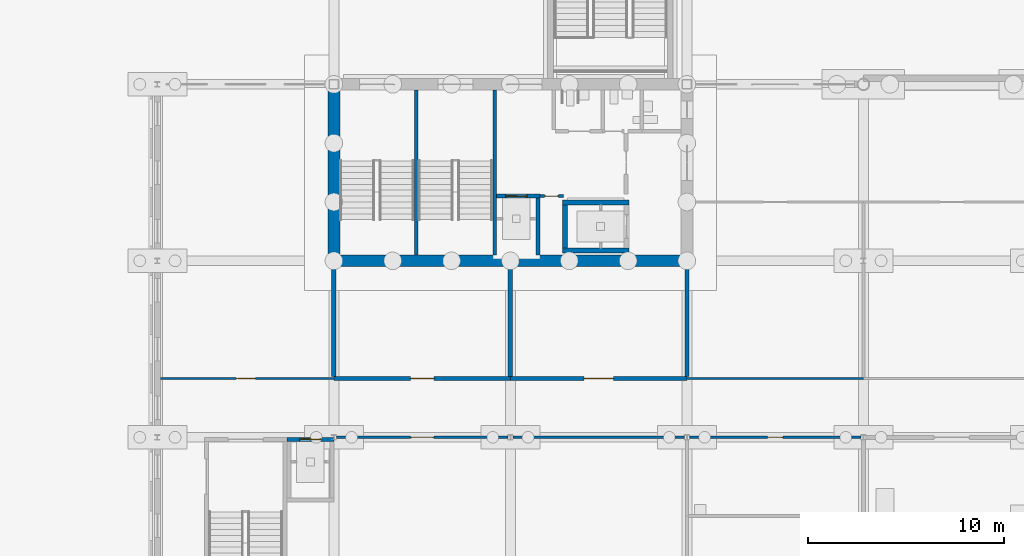
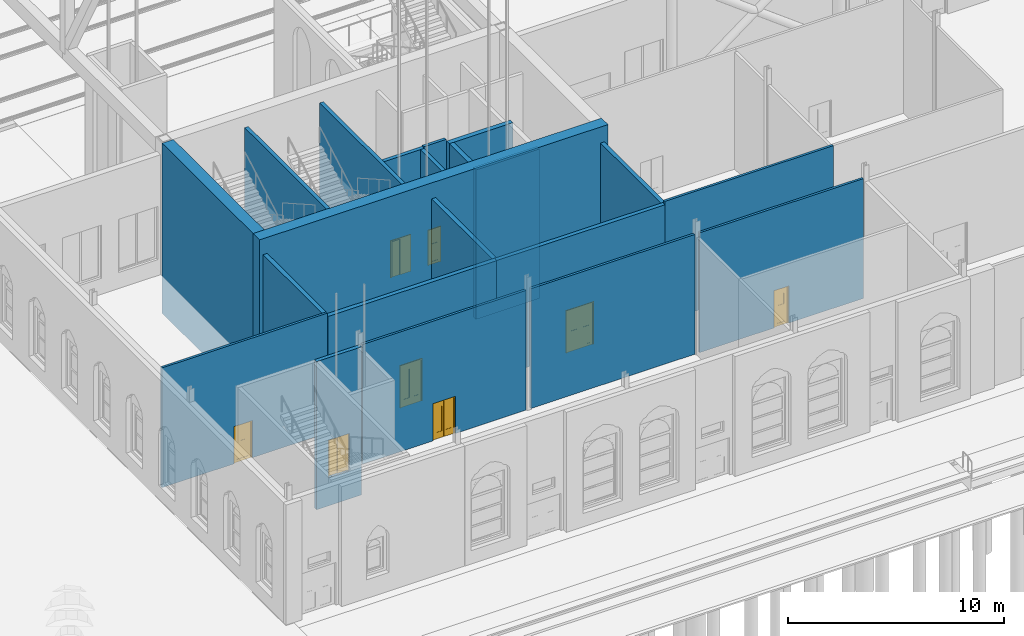
# One storey, part 94 of 250: 21 walls, 8 doors, 8 openings.
"""IFC4 building model written with IfcOpenShell, lengths in metres."""

from ifc_helpers import new_model, si_unit, direction, frame, frame_2d, origin, place, context, subcontext, project, spatial, polyline, rectangle, outline, extrude, material, layer, layer_set, type_object, element, fill, save


model = new_model("IFC4")

# Units and contexts
model_context = context("Model", 3, precision=1e-05, world=origin(), true_north=direction((0.0, 1.0)))
body_context = subcontext(model_context, "Body", "Model", "MODEL_VIEW")
ifc_project = project(units=[si_unit("LENGTHUNIT", "METRE"), si_unit("AREAUNIT", "SQUARE_METRE"), si_unit("VOLUMEUNIT", "CUBIC_METRE"), si_unit("PLANEANGLEUNIT", "RADIAN"), si_unit("MASSUNIT", "GRAM", prefix="KILO")], contexts=[model_context])

# Site, building, storey
site_placement = place(None, origin())
site = spatial("IfcSite", under=ifc_project, at=site_placement, CompositionType="ELEMENT")
building_placement = place(site_placement, origin())
building = spatial("IfcBuilding", under=site, at=building_placement, Name="Baradari Gate Terminus", CompositionType="ELEMENT")
storey_placement = place(building_placement, origin())
storey = spatial("IfcBuildingStorey", under=building, at=storey_placement, Name="L00", CompositionType="ELEMENT", Elevation=0.0)

# Walls
ifc_material_1 = material(Name="Concrete C40/50", Category="concrete")
ifc_layer_1 = layer(ifc_material_1, 0.60009765625)
ifc_layer_set_1 = layer_set([ifc_layer_1], Name="Concrete C40/50")
wall_type_1 = type_object("IfcWallType", Name="Abutment core wall CWL04 600", PredefinedType="SOLIDWALL", material=ifc_layer_set_1)
wall_1_placement = place(storey_placement, frame((71.699951171875, 27.0, -2.10009765625), z_axis=(0.0, 0.0, 1.0), x_axis=(1.0, 0.0, 0.0)))
element("IfcWall", 1, at=wall_1_placement, inside=storey, type_object=wall_type_1, Name="Abutment core wall GS S L00", PredefinedType="SOLIDWALL", context=body_context, shape_type="SweptSolid", body=[
    extrude(rectangle(XDim=18.60009765625, YDim=0.60009765625, at=frame_2d((9.300048828125, 0.0))), origin(), (0.0, 0.0, 1.0), 9.60009765625),
])
wall_2_placement = place(storey_placement, frame((72.0, 27.300048828125, -2.10009765625), z_axis=(0.0, 0.0, 1.0), x_axis=(0.0, 1.0, 0.0)))
element("IfcWall", 2, at=wall_2_placement, inside=storey, type_object=wall_type_1, Name="Abutment core wall GS W L00", PredefinedType="SOLIDWALL", context=body_context, shape_type="SweptSolid", body=[
    extrude(rectangle(XDim=8.39990234375, YDim=0.60009765625, at=frame_2d((4.199951171875, 0.0))), origin(), (0.0, 0.0, 1.0), 9.60009765625),
])
ifc_material_2 = material(Name="Gypsum board")
ifc_layer_2 = layer(ifc_material_2, 0.125)
ifc_layer_set_2 = layer_set([ifc_layer_2], Name="Gypsum board")
wall_type_2 = type_object("IfcWallType", Name="Corridor partition PT-5 125 EI 30", PredefinedType="PARTITIONING", material=ifc_layer_set_2)
wall_3_placement = place(storey_placement, frame((89.871826171875, 18.0, 0.0), z_axis=(0.0, 0.0, 1.0), x_axis=(-1.0, 0.0, 0.0)))
element("IfcWall", 3, at=wall_3_placement, inside=storey, type_object=wall_type_2, Name="PT-5 partition Corridor (Service Corridor South) / Bicycle Store", PredefinedType="PARTITIONING", context=body_context, shape_type="SweptSolid", body=[
    extrude(rectangle(XDim=8.74365234375, YDim=0.125, at=frame_2d((4.371826171875, 0.0))), origin(), (0.0, 0.0, 1.0), 6.757080078125),
])

# Wall, opening, door
wall_4_placement = place(storey_placement, frame((80.871826171875, 18.0, 0.0), z_axis=(0.0, 0.0, 1.0), x_axis=(-1.0, 0.0, 0.0)))
wall_4 = element("IfcWall", 4, at=wall_4_placement, inside=storey, type_object=wall_type_2, Name="PT-5 partition Corridor (Service Corridor South) / Bicycle Store", PredefinedType="PARTITIONING", context=body_context, shape_type="SweptSolid", body=[
    extrude(rectangle(XDim=8.74365234375, YDim=0.125, at=frame_2d((4.371826171875, 0.0))), origin(), (0.0, 0.0, 1.0), 6.757080078125),
])
opening_1_placement = place(wall_4_placement, frame((3.771728515625, 0.0, 0.0)))
opening_1 = element("IfcOpeningElement", 5, at=opening_1_placement, cuts=wall_4, Name="Opening D00-145", PredefinedType="OPENING", context=body_context, shape_type="SweptSolid", body=[
    extrude(rectangle(XDim=1.199951171875, YDim=2.10009765625, at=frame_2d((0.60009765625, 1.050048828125))), frame((0.0, 0.072509765625, 0.0), z_axis=(0.0, -1.0, 0.0), x_axis=(1.0, 0.0, 0.0)), (0.0, 0.0, 1.0), 0.14501953125),
])
ifc_material_3 = material(Name="Steel S275", Category="steel")
door_type_1 = type_object("IfcDoorType", Name="Fire door FI-1200-FD30S 1200x2100 FD30S", OperationType="DOUBLE_DOOR_SINGLE_SWING", PredefinedType="DOOR", material=ifc_material_3)
door_1_placement = place(opening_1_placement, origin())
door_1 = element("IfcDoor", 6, at=door_1_placement, inside=storey, type_object=door_type_1, Name="Door Bicycle Store", OperationType="DOUBLE_DOOR_SINGLE_SWING", OverallHeight=2.1, OverallWidth=1.2, PredefinedType="DOOR", context=body_context, shape_type="SweptSolid", body=[
    extrude(outline(polyline([(0.0, 0.0), (0.070068359375, 0.0), (0.070068359375, 2.030029296875), (1.1298828125, 2.030029296875), (1.1298828125, 0.0), (1.199951171875, 0.0), (1.199951171875, 2.10009765625), (0.0, 2.10009765625), (0.0, 0.0)])), frame((0.0, 0.02490234375, 0.0), z_axis=(0.0, -1.0, 0.0), x_axis=(1.0, 0.0, 0.0)), (0.0, 0.0, 1.0), 0.050048828125),
    extrude(outline(polyline([(0.073974609375, 0.010009765625), (0.596923828125, 0.010009765625), (0.596923828125, 2.026123046875), (0.073974609375, 2.026123046875), (0.073974609375, 0.010009765625)]), holes=[polyline([(0.178466796875, 0.372802734375), (0.492431640625, 0.372802734375), (0.492431640625, 1.7841796875), (0.178466796875, 1.7841796875), (0.178466796875, 0.372802734375)])]), frame((0.0, 0.017333984375, 0.0), z_axis=(0.0, -1.0, 0.0), x_axis=(1.0, 0.0, 0.0)), (0.0, 0.0, 1.0), 0.034912109375),
    extrude(rectangle(XDim=0.31396484375, YDim=1.411376953125, at=frame_2d((0.33544921875, 1.07861328125))), frame((0.0, 0.008544921875, 0.0), z_axis=(0.0, -1.0, 0.0), x_axis=(1.0, 0.0, 0.0)), (0.0, 0.0, 1.0), 0.017333984375),
    extrude(outline(polyline([(0.60302734375, 0.010009765625), (1.1259765625, 0.010009765625), (1.1259765625, 2.026123046875), (0.60302734375, 2.026123046875), (0.60302734375, 0.010009765625)]), holes=[polyline([(0.70751953125, 0.372802734375), (1.021484375, 0.372802734375), (1.021484375, 1.7841796875), (0.70751953125, 1.7841796875), (0.70751953125, 0.372802734375)])]), frame((0.0, 0.017333984375, 0.0), z_axis=(0.0, -1.0, 0.0), x_axis=(1.0, 0.0, 0.0)), (0.0, 0.0, 1.0), 0.034912109375),
    extrude(rectangle(XDim=0.31396484375, YDim=1.411376953125, at=frame_2d((0.864501953125, 1.07861328125))), frame((0.0, 0.008544921875, 0.0), z_axis=(0.0, -1.0, 0.0), x_axis=(1.0, 0.0, 0.0)), (0.0, 0.0, 1.0), 0.017333984375),
])
fill(opening_1, door_1)

wall_5_placement = place(storey_placement, frame((98.871826171875, 18.0, 0.0), z_axis=(0.0, 0.0, 1.0), x_axis=(-1.0, 0.0, 0.0)))
wall_5 = element("IfcWall", 7, at=wall_5_placement, inside=storey, type_object=wall_type_2, Name="PT-5 partition Corridor (Service Corridor South) / Cleaner's Store 2", PredefinedType="PARTITIONING", context=body_context, shape_type="SweptSolid", body=[
    extrude(rectangle(XDim=8.74365234375, YDim=0.125, at=frame_2d((4.371826171875, 0.0))), origin(), (0.0, 0.0, 1.0), 6.757080078125),
])
opening_2_placement = place(wall_5_placement, frame((3.971923828125, 0.0, 0.0)))
opening_2 = element("IfcOpeningElement", 8, at=opening_2_placement, cuts=wall_5, Name="Opening D00-146", PredefinedType="OPENING", context=body_context, shape_type="SweptSolid", body=[
    extrude(rectangle(XDim=0.800048828125, YDim=2.10009765625, at=frame_2d((0.39990234375, 1.050048828125))), frame((0.0, 0.072509765625, 0.0), z_axis=(0.0, -1.0, 0.0), x_axis=(1.0, 0.0, 0.0)), (0.0, 0.0, 1.0), 0.14501953125),
])
ifc_material_4 = material(Name="Steel S275", Category="steel")
door_type_2 = type_object("IfcDoorType", Name="Fire door FI-800-FD30S 800x2100 FD30S", OperationType="SINGLE_SWING_LEFT", PredefinedType="DOOR", material=ifc_material_4)
door_2_placement = place(opening_2_placement, origin())
door_2 = element("IfcDoor", 9, at=door_2_placement, inside=storey, type_object=door_type_2, Name="Door Cleaner's Store 2", OperationType="SINGLE_SWING_LEFT", OverallHeight=2.1, OverallWidth=0.8, PredefinedType="DOOR", context=body_context, shape_type="SweptSolid", body=[
    extrude(outline(polyline([(0.0, 0.0), (0.070068359375, 0.0), (0.070068359375, 2.030029296875), (0.72998046875, 2.030029296875), (0.72998046875, 0.0), (0.800048828125, 0.0), (0.800048828125, 2.10009765625), (0.0, 2.10009765625), (0.0, 0.0)])), frame((0.0, 0.02490234375, 0.0), z_axis=(0.0, -1.0, 0.0), x_axis=(1.0, 0.0, 0.0)), (0.0, 0.0, 1.0), 0.050048828125),
    extrude(outline(polyline([(0.073974609375, 0.010009765625), (0.72607421875, 0.010009765625), (0.72607421875, 2.026123046875), (0.073974609375, 2.026123046875), (0.073974609375, 0.010009765625)]), holes=[polyline([(0.194091796875, 0.159912109375), (0.60595703125, 0.159912109375), (0.60595703125, 1.010009765625), (0.194091796875, 1.010009765625), (0.194091796875, 0.159912109375)]), polyline([(0.25, 1.159912109375), (0.550048828125, 1.159912109375), (0.550048828125, 1.760009765625), (0.25, 1.760009765625), (0.25, 1.159912109375)])]), frame((0.0, 0.017333984375, 0.0), z_axis=(0.0, -1.0, 0.0), x_axis=(1.0, 0.0, 0.0)), (0.0, 0.0, 1.0), 0.034912109375),
    extrude(rectangle(XDim=0.411865234375, YDim=0.85009765625, at=frame_2d((0.39990234375, 0.5849609375))), frame((0.0, 0.008544921875, 0.0), z_axis=(0.0, -1.0, 0.0), x_axis=(1.0, 0.0, 0.0)), (0.0, 0.0, 1.0), 0.017333984375),
    extrude(rectangle(XDim=0.300048828125, YDim=0.60009765625, at=frame_2d((0.39990234375, 1.4599609375))), frame((0.0, 0.005859375, 0.0), z_axis=(0.0, -1.0, 0.0), x_axis=(1.0, 0.0, 0.0)), (0.0, 0.0, 1.0), 0.011962890625),
])
fill(opening_2, door_2)

# Wall
wall_6_placement = place(storey_placement, frame((90.0, 21.0, 0.0), z_axis=(0.0, 0.0, 1.0), x_axis=(1.0, 0.0, 0.0)))
element("IfcWall", 10, at=wall_6_placement, inside=storey, type_object=wall_type_2, Name="PT-5 partition Corridor (Service Corridor South) / Station Operations Room", PredefinedType="PARTITIONING", context=body_context, shape_type="SweptSolid", body=[
    extrude(rectangle(XDim=9.0, YDim=0.125, at=frame_2d((4.5, 0.0))), origin(), (0.0, 0.0, 1.0), 6.757080078125),
])

# Wall, opening, door
wall_7_placement = place(storey_placement, frame((63.162109375, 21.0, 0.0), z_axis=(0.0, 0.0, 1.0), x_axis=(1.0, 0.0, 0.0)))
wall_7 = element("IfcWall", 11, at=wall_7_placement, inside=storey, type_object=wall_type_2, Name="PT-5 partition Corridor (Service Corridor South) / Staff Room 4", PredefinedType="PARTITIONING", context=body_context, shape_type="SweptSolid", body=[
    extrude(rectangle(XDim=8.837890625, YDim=0.125, at=frame_2d((4.4189453125, 0.0))), origin(), (0.0, 0.0, 1.0), 6.757080078125),
])
opening_3_placement = place(wall_7_placement, frame((3.837890625, 0.0, 0.0)))
opening_3 = element("IfcOpeningElement", 12, at=opening_3_placement, cuts=wall_7, Name="Opening D00-129", PredefinedType="OPENING", context=body_context, shape_type="SweptSolid", body=[
    extrude(rectangle(XDim=1.0, YDim=2.10009765625, at=frame_2d((0.5, 1.050048828125))), frame((0.0, 0.072509765625, 0.0), z_axis=(0.0, -1.0, 0.0), x_axis=(1.0, 0.0, 0.0)), (0.0, 0.0, 1.0), 0.14501953125),
])
ifc_material_5 = material(Name="Steel S275", Category="steel")
door_type_3 = type_object("IfcDoorType", Name="Fire door FI-1000-FD30S 1000x2100 FD30S", OperationType="SINGLE_SWING_LEFT", PredefinedType="DOOR", material=ifc_material_5)
door_3_placement = place(opening_3_placement, origin())
door_3 = element("IfcDoor", 13, at=door_3_placement, inside=storey, type_object=door_type_3, Name="Door Staff Room 4", OperationType="SINGLE_SWING_LEFT", OverallHeight=2.1, OverallWidth=1.0, PredefinedType="DOOR", context=body_context, shape_type="SweptSolid", body=[
    extrude(outline(polyline([(0.0, 0.0), (0.070068359375, 0.0), (0.070068359375, 2.030029296875), (0.929931640625, 2.030029296875), (0.929931640625, 0.0), (1.0, 0.0), (1.0, 2.10009765625), (0.0, 2.10009765625), (0.0, 0.0)])), frame((0.0, 0.02490234375, 0.0), z_axis=(0.0, -1.0, 0.0), x_axis=(1.0, 0.0, 0.0)), (0.0, 0.0, 1.0), 0.050048828125),
    extrude(outline(polyline([(0.073974609375, 0.010009765625), (0.926025390625, 0.010009765625), (0.926025390625, 2.026123046875), (0.073974609375, 2.026123046875), (0.073974609375, 0.010009765625)]), holes=[polyline([(0.194091796875, 0.159912109375), (0.805908203125, 0.159912109375), (0.805908203125, 1.010009765625), (0.194091796875, 1.010009765625), (0.194091796875, 0.159912109375)]), polyline([(0.35009765625, 1.159912109375), (0.64990234375, 1.159912109375), (0.64990234375, 1.760009765625), (0.35009765625, 1.760009765625), (0.35009765625, 1.159912109375)])]), frame((0.0, 0.017333984375, 0.0), z_axis=(0.0, -1.0, 0.0), x_axis=(1.0, 0.0, 0.0)), (0.0, 0.0, 1.0), 0.034912109375),
    extrude(rectangle(XDim=0.61181640625, YDim=0.85009765625, at=frame_2d((0.5, 0.5849609375))), frame((0.0, 0.008544921875, 0.0), z_axis=(0.0, -1.0, 0.0), x_axis=(1.0, 0.0, 0.0)), (0.0, 0.0, 1.0), 0.017333984375),
    extrude(rectangle(XDim=0.2998046875, YDim=0.60009765625, at=frame_2d((0.5, 1.4599609375))), frame((0.0, 0.005859375, 0.0), z_axis=(0.0, -1.0, 0.0), x_axis=(1.0, 0.0, 0.0)), (0.0, 0.0, 1.0), 0.011962890625),
])
fill(opening_3, door_3)

ifc_material_6 = material(Name="Dense blockwork wall, plastered, fire rated", Category="masonry")
ifc_layer_3 = layer(ifc_material_6, 0.22509765625)
ifc_layer_set_3 = layer_set([ifc_layer_3], Name="Dense blockwork wall, plastered, fire rated")
wall_type_3 = type_object("IfcWallType", Name="Electrical room wall PT-8 225 EI 120", PredefinedType="PARTITIONING", material=ifc_layer_set_3)
wall_8_placement = place(storey_placement, frame((72.0, 21.0, 0.0), z_axis=(0.0, 0.0, 1.0), x_axis=(1.0, 0.0, 0.0)))
wall_8 = element("IfcWall", 14, at=wall_8_placement, inside=storey, type_object=wall_type_3, Name="PT-8 partition Corridor (Service Corridor South) / Generator Room", PredefinedType="PARTITIONING", context=body_context, shape_type="SweptSolid", body=[
    extrude(rectangle(XDim=9.0, YDim=0.22509765625, at=frame_2d((4.5, 0.0))), origin(), (0.0, 0.0, 1.0), 6.60009765625),
])
opening_4_placement = place(wall_8_placement, frame((3.89990234375, 0.0, 0.0)))
opening_4 = element("IfcOpeningElement", 15, at=opening_4_placement, cuts=wall_8, Name="Opening D00-130", PredefinedType="OPENING", context=body_context, shape_type="SweptSolid", body=[
    extrude(rectangle(XDim=1.199951171875, YDim=2.39990234375, at=frame_2d((0.60009765625, 1.199951171875))), frame((0.0, 0.12255859375, 0.0), z_axis=(0.0, -1.0, 0.0), x_axis=(1.0, 0.0, 0.0)), (0.0, 0.0, 1.0), 0.2451171875),
])
ifc_material_7 = material(Name="Steel S275", Category="steel")
door_type_4 = type_object("IfcDoorType", Name="Fire door FI-1200x2400-FD90S 1200x2400 FD90S", OperationType="DOUBLE_DOOR_SINGLE_SWING", PredefinedType="DOOR", material=ifc_material_7)
door_4_placement = place(opening_4_placement, origin())
door_4 = element("IfcDoor", 16, at=door_4_placement, inside=storey, type_object=door_type_4, Name="Door Generator Room", OperationType="DOUBLE_DOOR_SINGLE_SWING", OverallHeight=2.4, OverallWidth=1.2, PredefinedType="DOOR", context=body_context, shape_type="SweptSolid", body=[
    extrude(outline(polyline([(0.0, 0.0), (0.070068359375, 0.0), (0.070068359375, 2.329833984375), (1.1298828125, 2.329833984375), (1.1298828125, 0.0), (1.199951171875, 0.0), (1.199951171875, 2.39990234375), (0.0, 2.39990234375), (0.0, 0.0)])), frame((0.0, 0.02490234375, 0.0), z_axis=(0.0, -1.0, 0.0), x_axis=(1.0, 0.0, 0.0)), (0.0, 0.0, 1.0), 0.050048828125),
    extrude(outline(polyline([(0.073974609375, 0.010009765625), (0.596923828125, 0.010009765625), (0.596923828125, 2.325927734375), (0.073974609375, 2.325927734375), (0.073974609375, 0.010009765625)]), holes=[polyline([(0.178466796875, 0.4267578125), (0.492431640625, 0.4267578125), (0.492431640625, 2.048095703125), (0.178466796875, 2.048095703125), (0.178466796875, 0.4267578125)])]), frame((0.0, 0.017333984375, 0.0), z_axis=(0.0, -1.0, 0.0), x_axis=(1.0, 0.0, 0.0)), (0.0, 0.0, 1.0), 0.034912109375),
    extrude(rectangle(XDim=0.31396484375, YDim=1.621337890625, at=frame_2d((0.33544921875, 1.2373046875))), frame((0.0, 0.008544921875, 0.0), z_axis=(0.0, -1.0, 0.0), x_axis=(1.0, 0.0, 0.0)), (0.0, 0.0, 1.0), 0.017333984375),
    extrude(outline(polyline([(0.60302734375, 0.010009765625), (1.1259765625, 0.010009765625), (1.1259765625, 2.325927734375), (0.60302734375, 2.325927734375), (0.60302734375, 0.010009765625)]), holes=[polyline([(0.70751953125, 0.4267578125), (1.021484375, 0.4267578125), (1.021484375, 2.048095703125), (0.70751953125, 2.048095703125), (0.70751953125, 0.4267578125)])]), frame((0.0, 0.017333984375, 0.0), z_axis=(0.0, -1.0, 0.0), x_axis=(1.0, 0.0, 0.0)), (0.0, 0.0, 1.0), 0.034912109375),
    extrude(rectangle(XDim=0.31396484375, YDim=1.621337890625, at=frame_2d((0.864501953125, 1.2373046875))), frame((0.0, 0.008544921875, 0.0), z_axis=(0.0, -1.0, 0.0), x_axis=(1.0, 0.0, 0.0)), (0.0, 0.0, 1.0), 0.017333984375),
])
fill(opening_4, door_4)

# Walls
for number, where, z_axis, x_axis, name in (
    (17, (72.0, 26.697998046875, 0.0), (0.0, 0.0, 1.0), (0.0, -1.0, 0.0), "PT-8 partition Staff Room 4 / Generator Room"),
    (18, (81.0, 26.697998046875, 0.0), (0.0, 0.0, 1.0), (0.0, -1.0, 0.0), "PT-8 partition Generator Room / Chiller Plant Room"),
):
    element("IfcWall", number, at=place(storey_placement, frame(where, z_axis=z_axis, x_axis=x_axis)), inside=storey, type_object=wall_type_3, Name=name, PredefinedType="PARTITIONING", context=body_context, shape_type="SweptSolid", body=[
        extrude(rectangle(XDim=5.58544921875, YDim=0.22509765625, at=frame_2d((2.792724609375, 0.0))), origin(), (0.0, 0.0, 1.0), 6.60009765625),
    ])
ifc_material_8 = material(Name="Concrete C32/40", Category="concrete")
ifc_layer_4 = layer(ifc_material_8, 0.25)
ifc_layer_set_4 = layer_set([ifc_layer_4], Name="Concrete C32/40")
wall_type_4 = type_object("IfcWallType", Name="Firefighting lift shaft wall SH-2 250 EI 120", PredefinedType="SOLIDWALL", material=ifc_layer_set_4)
for number, where, z_axis, x_axis, name in (
    (19, (83.64990234375, 27.52490234375, -1.60009765625), (0.0, 0.0, 1.0), (1.0, 0.0, 0.0), "Lift shaft wall LGS2 L00 S"),
    (20, (83.64990234375, 29.97509765625, -1.60009765625), (0.0, 0.0, 1.0), (1.0, 0.0, 0.0), "Lift shaft wall LGS2 L00 N"),
):
    element("IfcWall", number, at=place(storey_placement, frame(where, z_axis=z_axis, x_axis=x_axis)), inside=storey, type_object=wall_type_4, Name=name, PredefinedType="SOLIDWALL", context=body_context, shape_type="SweptSolid", body=[
        extrude(rectangle(XDim=3.400146484375, YDim=0.25, at=frame_2d((1.7001953125, 0.0))), origin(), (0.0, 0.0, 1.0), 8.43603515625),
    ])
wall_9_placement = place(storey_placement, frame((83.77490234375, 27.64990234375, -1.60009765625), z_axis=(0.0, 0.0, 1.0), x_axis=(0.0, 1.0, 0.0)))
element("IfcWall", 21, at=wall_9_placement, inside=storey, type_object=wall_type_4, Name="Lift shaft wall LGS2 L00 W", PredefinedType="SOLIDWALL", context=body_context, shape_type="SweptSolid", body=[
    extrude(rectangle(XDim=2.2001953125, YDim=0.25, at=frame_2d((1.10009765625, 0.0))), origin(), (0.0, 0.0, 1.0), 8.43603515625),
])

# Wall, opening, door
ifc_material_9 = material(Name="Blockwork wall, fire rated", Category="masonry")
ifc_layer_5 = layer(ifc_material_9, 0.199951171875)
ifc_layer_set_5 = layer_set([ifc_layer_5], Name="Blockwork wall, fire rated")
wall_type_5 = type_object("IfcWallType", Name="Lift shaft wall SH-1 200 EI 120", PredefinedType="SOLIDWALL", material=ifc_layer_set_5)
wall_10_placement = place(storey_placement, frame((80.302001953125, 30.300048828125, -1.60009765625), z_axis=(0.0, 0.0, 1.0), x_axis=(1.0, 0.0, 0.0)))
wall_10 = element("IfcWall", 22, at=wall_10_placement, inside=storey, type_object=wall_type_5, Name="Lift shaft wall LGS1 L00 N", PredefinedType="SOLIDWALL", context=body_context, shape_type="SweptSolid", body=[
    extrude(rectangle(XDim=2.197998046875, YDim=0.199951171875, at=frame_2d((1.09912109375, 0.0))), origin(), (0.0, 0.0, 1.0), 8.357177734375),
])
opening_5_placement = place(wall_10_placement, frame((0.447998046875, 0.0, 1.60009765625)))
opening_5 = element("IfcOpeningElement", 23, at=opening_5_placement, cuts=wall_10, Name="Opening D00-070", PredefinedType="OPENING", context=body_context, shape_type="SweptSolid", body=[
    extrude(rectangle(XDim=1.10009765625, YDim=2.10009765625, at=frame_2d((0.550048828125, 1.050048828125))), frame((0.0, 0.10986328125, 0.0), z_axis=(0.0, -1.0, 0.0), x_axis=(1.0, 0.0, 0.0)), (0.0, 0.0, 1.0), 0.219970703125),
])
ifc_material_10 = material(Name="Stainless steel 1.4301", Category="steel")
door_type_5 = type_object("IfcDoorType", Name="Lift landing door LD 1100x2100 E 120", OperationType="SLIDING_TO_LEFT", PredefinedType="DOOR", material=ifc_material_10)
door_5_placement = place(opening_5_placement, origin())
door_5 = element("IfcDoor", 24, at=door_5_placement, inside=storey, type_object=door_type_5, Name="Lift landing door LGS1 L00", OperationType="SLIDING_TO_LEFT", OverallHeight=2.1, OverallWidth=1.1, PredefinedType="DOOR", context=body_context, shape_type="SweptSolid", body=[
    extrude(outline(polyline([(0.0, 0.0), (0.070068359375, 0.0), (0.070068359375, 2.030029296875), (1.030029296875, 2.030029296875), (1.030029296875, 0.0), (1.10009765625, 0.0), (1.10009765625, 2.10009765625), (0.0, 2.10009765625), (0.0, 0.0)])), frame((0.0, 0.02490234375, 0.0), z_axis=(0.0, -1.0, 0.0), x_axis=(1.0, 0.0, 0.0)), (0.0, 0.0, 1.0), 0.050048828125),
    extrude(rectangle(XDim=0.523681640625, YDim=2.01611328125, at=frame_2d((0.3359375, 1.01806640625))), frame((0.0, 0.017822265625, 0.0), z_axis=(0.0, -1.0, 0.0), x_axis=(1.0, 0.0, 0.0)), (0.0, 0.0, 1.0), 0.015869140625),
    extrude(rectangle(XDim=0.519775390625, YDim=2.01611328125, at=frame_2d((0.76611328125, 1.01806640625))), frame((0.0, -0.002197265625, 0.0), z_axis=(0.0, -1.0, 0.0), x_axis=(1.0, 0.0, 0.0)), (0.0, 0.0, 1.0), 0.015869140625),
])
fill(opening_5, door_5)

# Wall
wall_11_placement = place(storey_placement, frame((82.39990234375, 27.302001953125, -1.60009765625), z_axis=(0.0, 0.0, 1.0), x_axis=(0.0, 1.0, 0.0)))
element("IfcWall", 25, at=wall_11_placement, inside=storey, type_object=wall_type_5, Name="Lift shaft wall LGS1 L00 E", PredefinedType="SOLIDWALL", context=body_context, shape_type="SweptSolid", body=[
    extrude(rectangle(XDim=2.89794921875, YDim=0.199951171875, at=frame_2d((1.448974609375, 0.0))), origin(), (0.0, 0.0, 1.0), 8.357177734375),
])

# Wall, opening, door
wall_12_placement = place(storey_placement, frame((69.60205078125, 17.89990234375, -1.60009765625), z_axis=(0.0, 0.0, 1.0), x_axis=(1.0, 0.0, 0.0)))
wall_12 = element("IfcWall", 26, at=wall_12_placement, inside=storey, type_object=wall_type_5, Name="Lift shaft wall LSW1 L00 N", PredefinedType="SOLIDWALL", context=body_context, shape_type="SweptSolid", body=[
    extrude(rectangle(XDim=2.39794921875, YDim=0.199951171875, at=frame_2d((1.198974609375, 0.0))), origin(), (0.0, 0.0, 1.0), 8.357177734375),
])
opening_6_placement = place(wall_12_placement, frame((0.64794921875, 0.0, 1.60009765625)))
opening_6 = element("IfcOpeningElement", 27, at=opening_6_placement, cuts=wall_12, Name="Opening D00-079", PredefinedType="OPENING", context=body_context, shape_type="SweptSolid", body=[
    extrude(rectangle(XDim=1.10009765625, YDim=2.10009765625, at=frame_2d((0.550048828125, 1.050048828125))), frame((0.0, 0.10986328125, 0.0), z_axis=(0.0, -1.0, 0.0), x_axis=(1.0, 0.0, 0.0)), (0.0, 0.0, 1.0), 0.219970703125),
])
door_6_placement = place(opening_6_placement, origin())
door_6 = element("IfcDoor", 28, at=door_6_placement, inside=storey, type_object=door_type_5, Name="Lift landing door LSW1 L00", OperationType="SLIDING_TO_LEFT", OverallHeight=2.1, OverallWidth=1.1, PredefinedType="DOOR", context=body_context, shape_type="SweptSolid", body=[
    extrude(outline(polyline([(0.0, 0.0), (0.070068359375, 0.0), (0.070068359375, 2.030029296875), (1.030029296875, 2.030029296875), (1.030029296875, 0.0), (1.10009765625, 0.0), (1.10009765625, 2.10009765625), (0.0, 2.10009765625), (0.0, 0.0)])), frame((0.0, 0.02490234375, 0.0), z_axis=(0.0, -1.0, 0.0), x_axis=(1.0, 0.0, 0.0)), (0.0, 0.0, 1.0), 0.050048828125),
    extrude(rectangle(XDim=0.523681640625, YDim=2.01611328125, at=frame_2d((0.3359375, 1.01806640625))), frame((0.0, 0.017822265625, 0.0), z_axis=(0.0, -1.0, 0.0), x_axis=(1.0, 0.0, 0.0)), (0.0, 0.0, 1.0), 0.015869140625),
    extrude(rectangle(XDim=0.519775390625, YDim=2.01611328125, at=frame_2d((0.76611328125, 1.01806640625))), frame((0.0, -0.002197265625, 0.0), z_axis=(0.0, -1.0, 0.0), x_axis=(1.0, 0.0, 0.0)), (0.0, 0.0, 1.0), 0.015869140625),
])
fill(opening_6, door_6)

ifc_material_11 = material(Name="Dense blockwork wall, plastered, acoustic", Category="masonry")
ifc_layer_6 = layer(ifc_material_11, 0.215087890625)
ifc_layer_set_6 = layer_set([ifc_layer_6], Name="Dense blockwork wall, plastered, acoustic")
wall_type_6 = type_object("IfcWallType", Name="Plant room wall PT-7 215 EI 60", PredefinedType="PARTITIONING", material=ifc_layer_set_6)
wall_13_placement = place(storey_placement, frame((81.0, 21.0, 0.0), z_axis=(0.0, 0.0, 1.0), x_axis=(1.0, 0.0, 0.0)))
wall_13 = element("IfcWall", 29, at=wall_13_placement, inside=storey, type_object=wall_type_6, Name="PT-7 partition Corridor (Service Corridor South) / Chiller Plant Room", PredefinedType="PARTITIONING", context=body_context, shape_type="SweptSolid", body=[
    extrude(rectangle(XDim=9.0, YDim=0.215087890625, at=frame_2d((4.5, 0.0))), origin(), (0.0, 0.0, 1.0), 6.60009765625),
])
opening_7_placement = place(wall_13_placement, frame((3.75, 0.0, 0.0)))
opening_7 = element("IfcOpeningElement", 30, at=opening_7_placement, cuts=wall_13, Name="Opening D00-131", PredefinedType="OPENING", context=body_context, shape_type="SweptSolid", body=[
    extrude(rectangle(XDim=1.5, YDim=2.39990234375, at=frame_2d((0.75, 1.199951171875))), frame((0.0, 0.117431640625, 0.0), z_axis=(0.0, -1.0, 0.0), x_axis=(1.0, 0.0, 0.0)), (0.0, 0.0, 1.0), 0.235107421875),
])
ifc_material_12 = material(Name="Steel S275", Category="steel")
door_type_6 = type_object("IfcDoorType", Name="Fire door FI-1500x2400-FD60S 1500x2400 FD60S", OperationType="DOUBLE_DOOR_SINGLE_SWING", PredefinedType="DOOR", material=ifc_material_12)
door_7_placement = place(opening_7_placement, origin())
door_7 = element("IfcDoor", 31, at=door_7_placement, inside=storey, type_object=door_type_6, Name="Door Chiller Plant Room", OperationType="DOUBLE_DOOR_SINGLE_SWING", OverallHeight=2.4, OverallWidth=1.5, PredefinedType="DOOR", context=body_context, shape_type="SweptSolid", body=[
    extrude(outline(polyline([(0.0, 0.0), (0.070068359375, 0.0), (0.070068359375, 2.329833984375), (1.429931640625, 2.329833984375), (1.429931640625, 0.0), (1.5, 0.0), (1.5, 2.39990234375), (0.0, 2.39990234375), (0.0, 0.0)])), frame((0.0, 0.02490234375, 0.0), z_axis=(0.0, -1.0, 0.0), x_axis=(1.0, 0.0, 0.0)), (0.0, 0.0, 1.0), 0.050048828125),
    extrude(outline(polyline([(0.073974609375, 0.010009765625), (0.7470703125, 0.010009765625), (0.7470703125, 2.325927734375), (0.073974609375, 2.325927734375), (0.073974609375, 0.010009765625)]), holes=[polyline([(0.194091796875, 0.159912109375), (0.626953125, 0.159912109375), (0.626953125, 1.010009765625), (0.194091796875, 1.010009765625), (0.194091796875, 0.159912109375)]), polyline([(0.260498046875, 1.159912109375), (0.560546875, 1.159912109375), (0.560546875, 1.760009765625), (0.260498046875, 1.760009765625), (0.260498046875, 1.159912109375)])]), frame((0.0, 0.017333984375, 0.0), z_axis=(0.0, -1.0, 0.0), x_axis=(1.0, 0.0, 0.0)), (0.0, 0.0, 1.0), 0.034912109375),
    extrude(rectangle(XDim=0.432861328125, YDim=0.85009765625, at=frame_2d((0.41064453125, 0.5849609375))), frame((0.0, 0.008544921875, 0.0), z_axis=(0.0, -1.0, 0.0), x_axis=(1.0, 0.0, 0.0)), (0.0, 0.0, 1.0), 0.017333984375),
    extrude(rectangle(XDim=0.300048828125, YDim=0.60009765625, at=frame_2d((0.41064453125, 1.4599609375))), frame((0.0, 0.005859375, 0.0), z_axis=(0.0, -1.0, 0.0), x_axis=(1.0, 0.0, 0.0)), (0.0, 0.0, 1.0), 0.011962890625),
    extrude(outline(polyline([(0.7529296875, 0.010009765625), (1.426025390625, 0.010009765625), (1.426025390625, 2.325927734375), (0.7529296875, 2.325927734375), (0.7529296875, 0.010009765625)]), holes=[polyline([(0.873046875, 0.159912109375), (1.305908203125, 0.159912109375), (1.305908203125, 1.010009765625), (0.873046875, 1.010009765625), (0.873046875, 0.159912109375)]), polyline([(0.939453125, 1.159912109375), (1.239501953125, 1.159912109375), (1.239501953125, 1.760009765625), (0.939453125, 1.760009765625), (0.939453125, 1.159912109375)])]), frame((0.0, 0.017333984375, 0.0), z_axis=(0.0, -1.0, 0.0), x_axis=(1.0, 0.0, 0.0)), (0.0, 0.0, 1.0), 0.034912109375),
    extrude(rectangle(XDim=0.432861328125, YDim=0.85009765625, at=frame_2d((1.08935546875, 0.5849609375))), frame((0.0, 0.008544921875, 0.0), z_axis=(0.0, -1.0, 0.0), x_axis=(1.0, 0.0, 0.0)), (0.0, 0.0, 1.0), 0.017333984375),
    extrude(rectangle(XDim=0.300048828125, YDim=0.60009765625, at=frame_2d((1.08935546875, 1.4599609375))), frame((0.0, 0.005859375, 0.0), z_axis=(0.0, -1.0, 0.0), x_axis=(1.0, 0.0, 0.0)), (0.0, 0.0, 1.0), 0.011962890625),
])
fill(opening_7, door_7)

# Wall
wall_14_placement = place(storey_placement, frame((90.0, 26.697998046875, 0.0), z_axis=(0.0, 0.0, 1.0), x_axis=(0.0, -1.0, 0.0)))
element("IfcWall", 32, at=wall_14_placement, inside=storey, type_object=wall_type_6, Name="PT-7 partition Chiller Plant Room / Station Operations Room", PredefinedType="PARTITIONING", context=body_context, shape_type="SweptSolid", body=[
    extrude(rectangle(XDim=5.590576171875, YDim=0.215087890625, at=frame_2d((2.79541015625, 0.0))), origin(), (0.0, 0.0, 1.0), 6.60009765625),
])

# Wall, opening, door
ifc_material_13 = material(Name="Blockwork wall, fire rated", Category="masonry")
ifc_layer_7 = layer(ifc_material_13, 0.14990234375)
ifc_layer_set_7 = layer_set([ifc_layer_7], Name="Blockwork wall, fire rated")
wall_type_7 = type_object("IfcWallType", Name="Riser wall RW-1 150 EI 120", PredefinedType="SOLIDWALL", material=ifc_layer_set_7)
wall_15_placement = place(storey_placement, frame((83.699951171875, 30.300048828125, 0.0), z_axis=(0.0, 0.0, 1.0), x_axis=(-1.0, 0.0, 0.0)))
wall_15 = element("IfcWall", 33, at=wall_15_placement, inside=storey, type_object=wall_type_7, Name="RW-1 partition Lift Lobby / Riser", PredefinedType="SOLIDWALL", context=body_context, shape_type="SweptSolid", body=[
    extrude(rectangle(XDim=1.197998046875, YDim=0.14990234375, at=frame_2d((0.59912109375, 0.0))), origin(), (0.0, 0.0, 1.0), 6.8359375),
])
opening_8_placement = place(wall_15_placement, frame((0.25, 0.0, 0.0)))
opening_8 = element("IfcOpeningElement", 34, at=opening_8_placement, cuts=wall_15, Name="Opening D00-166", PredefinedType="OPENING", context=body_context, shape_type="SweptSolid", body=[
    extrude(rectangle(XDim=0.699951171875, YDim=2.0, at=frame_2d((0.35009765625, 1.0))), frame((0.0, 0.0849609375, 0.0), z_axis=(0.0, -1.0, 0.0), x_axis=(1.0, 0.0, 0.0)), (0.0, 0.0, 1.0), 0.169921875),
])
ifc_material_14 = material(Name="Steel S275", Category="steel")
door_type_7 = type_object("IfcDoorType", Name="Fire door FI-700x2000-FD90S 700x2000 FD90S", OperationType="SINGLE_SWING_LEFT", PredefinedType="DOOR", material=ifc_material_14)
door_8_placement = place(opening_8_placement, origin())
door_8 = element("IfcDoor", 35, at=door_8_placement, inside=storey, type_object=door_type_7, Name="Door Riser", OperationType="SINGLE_SWING_RIGHT", OverallHeight=2.0, OverallWidth=0.7, PredefinedType="DOOR", context=body_context, shape_type="SweptSolid", body=[
    extrude(outline(polyline([(0.0, 0.0), (0.070068359375, 0.0), (0.070068359375, 1.929931640625), (0.6298828125, 1.929931640625), (0.6298828125, 0.0), (0.699951171875, 0.0), (0.699951171875, 2.0), (0.0, 2.0), (0.0, 0.0)])), frame((0.0, 0.02490234375, 0.0), z_axis=(0.0, -1.0, 0.0), x_axis=(1.0, 0.0, 0.0)), (0.0, 0.0, 1.0), 0.050048828125),
    extrude(outline(polyline([(0.073974609375, 0.010009765625), (0.6259765625, 0.010009765625), (0.6259765625, 1.926025390625), (0.073974609375, 1.926025390625), (0.073974609375, 0.010009765625)]), holes=[polyline([(0.184326171875, 0.159912109375), (0.515625, 0.159912109375), (0.515625, 1.010009765625), (0.184326171875, 1.010009765625), (0.184326171875, 0.159912109375)]), polyline([(0.199951171875, 1.159912109375), (0.5, 1.159912109375), (0.5, 1.760009765625), (0.199951171875, 1.760009765625), (0.199951171875, 1.159912109375)])]), frame((0.0, 0.017333984375, 0.0), z_axis=(0.0, -1.0, 0.0), x_axis=(1.0, 0.0, 0.0)), (0.0, 0.0, 1.0), 0.034912109375),
    extrude(rectangle(XDim=0.331298828125, YDim=0.85009765625, at=frame_2d((0.35009765625, 0.5849609375))), frame((0.0, 0.008544921875, 0.0), z_axis=(0.0, -1.0, 0.0), x_axis=(1.0, 0.0, 0.0)), (0.0, 0.0, 1.0), 0.017333984375),
    extrude(rectangle(XDim=0.300048828125, YDim=0.60009765625, at=frame_2d((0.35009765625, 1.4599609375))), frame((0.0, 0.005859375, 0.0), z_axis=(0.0, -1.0, 0.0), x_axis=(1.0, 0.0, 0.0)), (0.0, 0.0, 1.0), 0.011962890625),
])
fill(opening_8, door_8)

# Walls
ifc_material_15 = material(Name="Concrete C40/50", Category="concrete")
ifc_layer_8 = layer(ifc_material_15, 0.199951171875)
ifc_layer_set_8 = layer_set([ifc_layer_8], Name="Concrete C40/50")
wall_type_8 = type_object("IfcWallType", Name="Stair enclosure wall SE-4 200 EI 120", PredefinedType="SOLIDWALL", material=ifc_layer_set_8)
for number, where, z_axis, x_axis, name in (
    (36, (76.199951171875, 27.302001953125, 0.0), (0.0, 0.0, 1.0), (0.0, 1.0, 0.0), "Stair enclosure wall SE-4 ST-GS1 L00 E"),
    (37, (80.199951171875, 27.302001953125, 0.0), (0.0, 0.0, 1.0), (0.0, 1.0, 0.0), "Stair enclosure wall SE-4 ST-GS2 L00 E"),
):
    element("IfcWall", number, at=place(storey_placement, frame(where, z_axis=z_axis, x_axis=x_axis)), inside=storey, type_object=wall_type_8, Name=name, PredefinedType="SOLIDWALL", context=body_context, shape_type="SweptSolid", body=[
        extrude(rectangle(XDim=8.39599609375, YDim=0.199951171875, at=frame_2d((4.197998046875, 0.0))), origin(), (0.0, 0.0, 1.0), 6.8359375),
    ])

save(model, "model.ifc")
